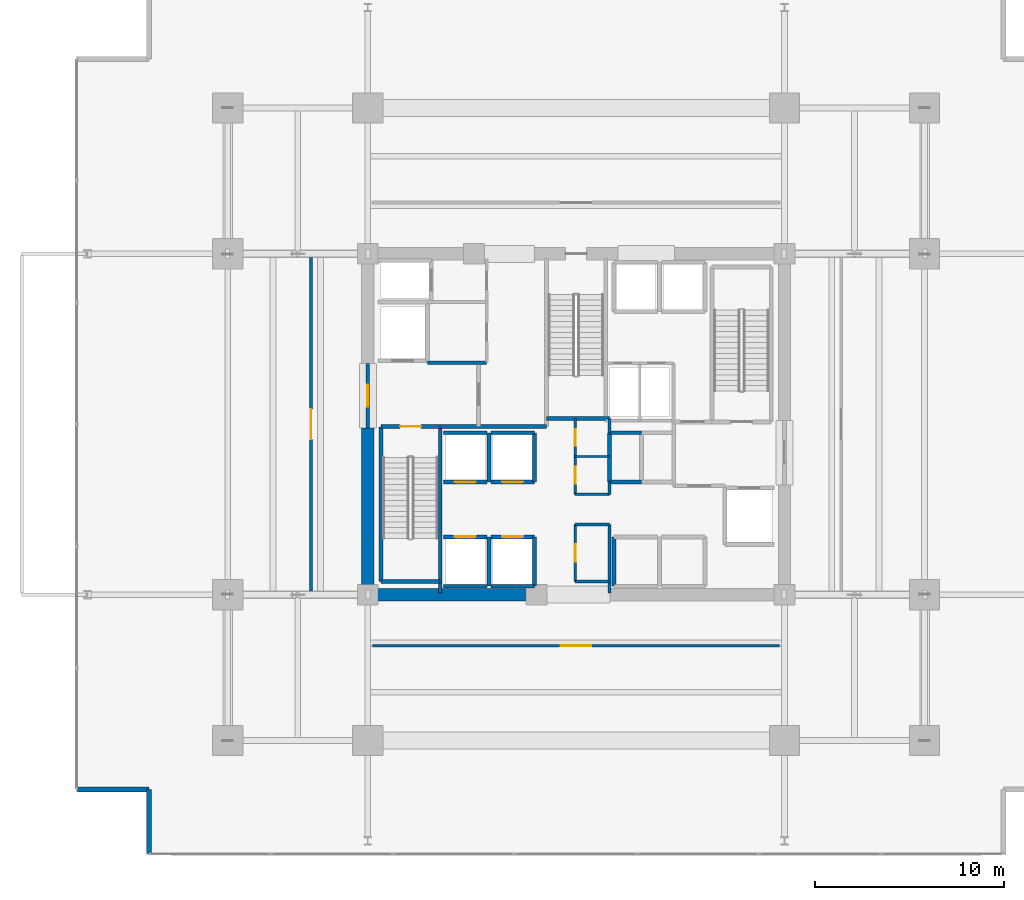
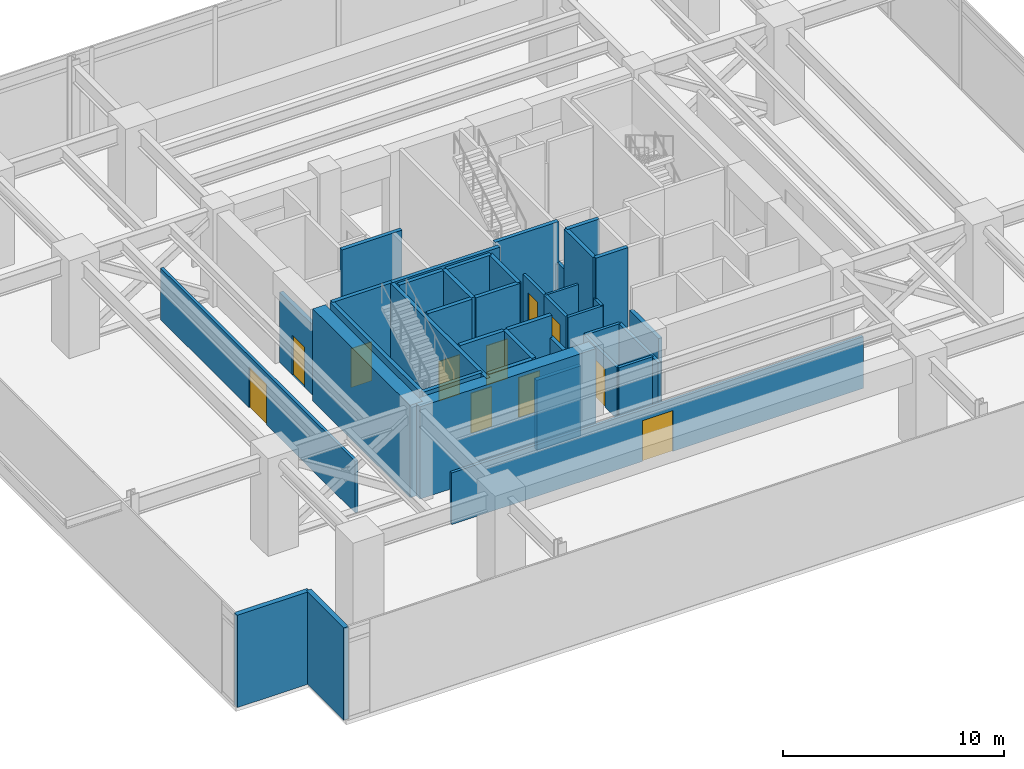
# One storey, part 23 of 26: 40 walls, 11 doors, 11 openings.
"""IFC4 building model written with IfcOpenShell, lengths in metres."""

from ifc_helpers import new_model, si_unit, direction, frame, frame_2d, origin, place, context, subcontext, project, spatial, rectangle, extrude, material, layer, layer_set, type_object, element, fill, save


model = new_model("IFC4")

# Units and contexts
model_context = context("Model", 3, precision=1e-05, world=origin(), true_north=direction((0.0, 1.0)))
body_context = subcontext(model_context, "Body", "Model", "MODEL_VIEW")
ifc_project = project(units=[si_unit("LENGTHUNIT", "METRE"), si_unit("AREAUNIT", "SQUARE_METRE"), si_unit("VOLUMEUNIT", "CUBIC_METRE"), si_unit("PLANEANGLEUNIT", "RADIAN"), si_unit("MASSUNIT", "GRAM", prefix="KILO")], contexts=[model_context])

# Site, building, storey
site_placement = place(None, origin())
site = spatial("IfcSite", under=ifc_project, at=site_placement, CompositionType="ELEMENT")
building_placement = place(site_placement, origin())
building = spatial("IfcBuilding", under=site, at=building_placement, Name="Kovane Verandah Tower", CompositionType="ELEMENT")
storey_placement = place(building_placement, frame((0.0, 0.0, 113.0)))
storey = spatial("IfcBuildingStorey", under=building, at=storey_placement, Name="L26", CompositionType="ELEMENT", Elevation=113.0)

# Walls
ifc_material_1 = material(Name="Fire-Rated Gypsum Stud Partition", Category="gypsum")
ifc_layer_1 = layer(ifc_material_1, 0.14990234375)
ifc_layer_set_1 = layer_set([ifc_layer_1], Name="Fire-Rated Gypsum Stud Partition")
wall_type_1 = type_object("IfcWallType", Name="WL-COR-150", PredefinedType="PARTITIONING", material=ifc_layer_set_1)
for number, where, z_axis, x_axis, name in (
    (1, (39.949951171875, 19.199951171875, 0.0), (0.0, 0.0, 1.0), (1.0, 0.0, 0.0), "L26 Central Core Strip South Wall"),
    (2, (39.949951171875, 22.199951171875, 0.0), (0.0, 0.0, 1.0), (1.0, 0.0, 0.0), "L26 Core Cross-Passage South Wall"),
    (3, (39.949951171875, 23.800048828125, 0.0), (0.0, 0.0, 1.0), (1.0, 0.0, 0.0), "L26 Core Cross-Passage North Wall"),
):
    element("IfcWall", number, at=place(storey_placement, frame(where, z_axis=z_axis, x_axis=x_axis)), inside=storey, type_object=wall_type_1, Name=name, PredefinedType="PARTITIONING", context=body_context, shape_type="SweptSolid", body=[
        extrude(rectangle(XDim=1.81005859375, YDim=0.14990234375, at=frame_2d((0.905029296875, 0.0))), origin(), (0.0, 0.0, 1.0), 2.85009765625),
    ])
wall_1_placement = place(storey_placement, frame((41.760009765625, 18.60009765625, 0.0), z_axis=(0.0, 0.0, 1.0), x_axis=(0.0, 1.0, 0.0)))
element("IfcWall", 4, at=wall_1_placement, inside=storey, type_object=wall_type_1, Name="L26 Central Core Strip Lower East Wall", PredefinedType="PARTITIONING", context=body_context, shape_type="SweptSolid", body=[
    extrude(rectangle(XDim=3.599853515625, YDim=0.14990234375, at=frame_2d((1.7998046875, 0.0))), origin(), (0.0, 0.0, 1.0), 2.85009765625),
])
wall_2_placement = place(storey_placement, frame((41.760009765625, 23.800048828125, 0.0), z_axis=(0.0, 0.0, 1.0), x_axis=(0.0, 1.0, 0.0)))
element("IfcWall", 5, at=wall_2_placement, inside=storey, type_object=wall_type_1, Name="L26 Central Core Strip Middle East Wall", PredefinedType="PARTITIONING", context=body_context, shape_type="SweptSolid", body=[
    extrude(rectangle(XDim=0.64990234375, YDim=0.14990234375, at=frame_2d((0.324951171875, 0.0))), origin(), (0.0, 0.0, 1.0), 2.85009765625),
])
wall_3_placement = place(storey_placement, frame((41.760009765625, 27.050048828125, 0.0), z_axis=(0.0, 0.0, 1.0), x_axis=(0.0, 1.0, 0.0)))
element("IfcWall", 6, at=wall_3_placement, inside=storey, type_object=wall_type_1, Name="L26 Central Core Strip Upper East Wall", PredefinedType="PARTITIONING", context=body_context, shape_type="SweptSolid", body=[
    extrude(rectangle(XDim=0.75, YDim=0.14990234375, at=frame_2d((0.375, 0.0))), origin(), (0.0, 0.0, 1.0), 2.85009765625),
])

# Wall, opening, door
wall_4_placement = place(storey_placement, frame((39.949951171875, 19.199951171875, 0.0), z_axis=(0.0, 0.0, 1.0), x_axis=(0.0, 1.0, 0.0)))
wall_4 = element("IfcWall", 7, at=wall_4_placement, inside=storey, type_object=wall_type_1, Name="L26 Male Toilet Partition", PredefinedType="PARTITIONING", context=body_context, shape_type="SweptSolid", body=[
    extrude(rectangle(XDim=3.0, YDim=0.14990234375, at=frame_2d((1.5, 0.0))), origin(), (0.0, 0.0, 1.0), 2.85009765625),
])
opening_1_placement = place(wall_4_placement, frame((1.050048828125, 0.0, 0.0)))
opening_1 = element("IfcOpeningElement", 8, at=opening_1_placement, cuts=wall_4, Name="Opening DR-L26-019", PredefinedType="OPENING", context=body_context, shape_type="SweptSolid", body=[
    extrude(rectangle(XDim=0.89990234375, YDim=2.10009765625, at=frame_2d((0.449951171875, 1.050048828125))), frame((0.0, 0.074951171875, 0.0), z_axis=(0.0, -1.0, 0.0), x_axis=(1.0, 0.0, 0.0)), (0.0, 0.0, 1.0), 0.14990234375),
])
ifc_material_2 = material(Name="Moisture-Resistant Laminate Washroom Door", Category="wood")
door_type_1 = type_object("IfcDoorType", Name="DR-WC-900", OperationType="SINGLE_SWING_LEFT", PredefinedType="DOOR", material=ifc_material_2)
door_1_placement = place(opening_1_placement, origin())
door_1 = element("IfcDoor", 9, at=door_1_placement, inside=storey, type_object=door_type_1, Name="L26 Male Toilet Door", OperationType="SINGLE_SWING_RIGHT", OverallHeight=2.10009765625, OverallWidth=0.89990234375, PredefinedType="DOOR", context=body_context, shape_type="SweptSolid", body=[
    extrude(rectangle(XDim=0.89990234375, YDim=2.10009765625, at=frame_2d((0.449951171875, 1.050048828125))), frame((0.0, 0.02490234375, 0.0), z_axis=(0.0, -1.0, 0.0), x_axis=(1.0, 0.0, 0.0)), (0.0, 0.0, 1.0), 0.050048828125),
])
fill(opening_1, door_1)

wall_5_placement = place(storey_placement, frame((39.949951171875, 23.800048828125, 0.0), z_axis=(0.0, 0.0, 1.0), x_axis=(0.0, 1.0, 0.0)))
wall_5 = element("IfcWall", 10, at=wall_5_placement, inside=storey, type_object=wall_type_1, Name="L26 Female Toilet Partition", PredefinedType="PARTITIONING", context=body_context, shape_type="SweptSolid", body=[
    extrude(rectangle(XDim=2.0, YDim=0.14990234375, at=frame_2d((1.0, 0.0))), origin(), (0.0, 0.0, 1.0), 2.85009765625),
])
opening_2_placement = place(wall_5_placement, frame((0.550048828125, 0.0, 0.0)))
opening_2 = element("IfcOpeningElement", 11, at=opening_2_placement, cuts=wall_5, Name="Opening DR-L26-018", PredefinedType="OPENING", context=body_context, shape_type="SweptSolid", body=[
    extrude(rectangle(XDim=0.89990234375, YDim=2.10009765625, at=frame_2d((0.449951171875, 1.050048828125))), frame((0.0, 0.074951171875, 0.0), z_axis=(0.0, -1.0, 0.0), x_axis=(1.0, 0.0, 0.0)), (0.0, 0.0, 1.0), 0.14990234375),
])
door_2_placement = place(opening_2_placement, origin())
door_2 = element("IfcDoor", 12, at=door_2_placement, inside=storey, type_object=door_type_1, Name="L26 Female Toilet Door", OperationType="SINGLE_SWING_LEFT", OverallHeight=2.10009765625, OverallWidth=0.89990234375, PredefinedType="DOOR", context=body_context, shape_type="SweptSolid", body=[
    extrude(rectangle(XDim=0.89990234375, YDim=2.10009765625, at=frame_2d((0.449951171875, 1.050048828125))), frame((0.0, 0.02490234375, 0.0), z_axis=(0.0, -1.0, 0.0), x_axis=(1.0, 0.0, 0.0)), (0.0, 0.0, 1.0), 0.050048828125),
])
fill(opening_2, door_2)

wall_6_placement = place(storey_placement, frame((39.949951171875, 25.800048828125, 0.0), z_axis=(0.0, 0.0, 1.0), x_axis=(0.0, 1.0, 0.0)))
wall_6 = element("IfcWall", 13, at=wall_6_placement, inside=storey, type_object=wall_type_1, Name="L26 Electrical Riser Room Partition", PredefinedType="PARTITIONING", context=body_context, shape_type="SweptSolid", body=[
    extrude(rectangle(XDim=2.0, YDim=0.14990234375, at=frame_2d((1.0, 0.0))), origin(), (0.0, 0.0, 1.0), 2.85009765625),
])
opening_3_placement = place(wall_6_placement, frame((0.56005859375, 0.0, 0.0)))
opening_3 = element("IfcOpeningElement", 14, at=opening_3_placement, cuts=wall_6, Name="Opening DR-L26-015", PredefinedType="OPENING", context=body_context, shape_type="SweptSolid", body=[
    extrude(rectangle(XDim=0.8798828125, YDim=2.10009765625, at=frame_2d((0.43994140625, 1.050048828125))), frame((0.0, 0.074951171875, 0.0), z_axis=(0.0, -1.0, 0.0), x_axis=(1.0, 0.0, 0.0)), (0.0, 0.0, 1.0), 0.14990234375),
])
ifc_material_3 = material(Name="Fire-Rated Steel Riser Access Door", Category="steel")
door_type_2 = type_object("IfcDoorType", Name="DR-RISER-880", OperationType="SINGLE_SWING_LEFT", PredefinedType="DOOR", material=ifc_material_3)
door_3_placement = place(opening_3_placement, origin())
door_3 = element("IfcDoor", 15, at=door_3_placement, inside=storey, type_object=door_type_2, Name="L26 Electrical Riser Room Door", OperationType="SINGLE_SWING_RIGHT", OverallHeight=2.10009765625, OverallWidth=0.8798828125, PredefinedType="DOOR", context=body_context, shape_type="SweptSolid", body=[
    extrude(rectangle(XDim=0.8798828125, YDim=2.10009765625, at=frame_2d((0.43994140625, 1.050048828125))), frame((0.0, 0.02490234375, 0.0), z_axis=(0.0, -1.0, 0.0), x_axis=(1.0, 0.0, 0.0)), (0.0, 0.0, 1.0), 0.050048828125),
])
fill(opening_3, door_3)

wall_7_placement = place(storey_placement, frame((29.25, 15.800048828125, 0.0), z_axis=(0.0, 0.0, 1.0), x_axis=(1.0, 0.0, 0.0)))
wall_7 = element("IfcWall", 16, at=wall_7_placement, inside=storey, type_object=wall_type_1, Name="L26 Chilled Water Plant Room South Corridor Partition", PredefinedType="PARTITIONING", context=body_context, shape_type="SweptSolid", body=[
    extrude(rectangle(XDim=21.5, YDim=0.14990234375, at=frame_2d((10.75, 0.0))), origin(), (0.0, 0.0, 1.0), 2.85009765625),
])
opening_4_placement = place(wall_7_placement, frame((9.949951171875, 0.0, 0.0)))
opening_4 = element("IfcOpeningElement", 17, at=opening_4_placement, cuts=wall_7, Name="Opening DR-L26-014", PredefinedType="OPENING", context=body_context, shape_type="SweptSolid", body=[
    extrude(rectangle(XDim=1.60009765625, YDim=2.25, at=frame_2d((0.800048828125, 1.125))), frame((0.0, 0.074951171875, 0.0), z_axis=(0.0, -1.0, 0.0), x_axis=(1.0, 0.0, 0.0)), (0.0, 0.0, 1.0), 0.14990234375),
])
ifc_material_4 = material(Name="Louvred Acoustic Steel Double Plant Door", Category="steel")
door_type_3 = type_object("IfcDoorType", Name="DR-PLANT-1600", OperationType="DOUBLE_DOOR_SINGLE_SWING", PredefinedType="DOOR", material=ifc_material_4)
door_4_placement = place(opening_4_placement, origin())
door_4 = element("IfcDoor", 18, at=door_4_placement, inside=storey, type_object=door_type_3, Name="L26 Chilled Water Plant Room South Entrance Door", OperationType="DOUBLE_DOOR_SINGLE_SWING", OverallHeight=2.25, OverallWidth=1.60009765625, PredefinedType="DOOR", context=body_context, shape_type="SweptSolid", body=[
    extrude(rectangle(XDim=1.60009765625, YDim=2.25, at=frame_2d((0.800048828125, 1.125))), frame((0.0, 0.02490234375, 0.0), z_axis=(0.0, -1.0, 0.0), x_axis=(1.0, 0.0, 0.0)), (0.0, 0.0, 1.0), 0.050048828125),
])
fill(opening_4, door_4)

wall_8_placement = place(storey_placement, frame((26.0, 18.699951171875, 0.0), z_axis=(0.0, 0.0, 1.0), x_axis=(0.0, 1.0, 0.0)))
wall_8 = element("IfcWall", 19, at=wall_8_placement, inside=storey, type_object=wall_type_1, Name="L26 Outrigger Mechanical Plant Room West Corridor Partition", PredefinedType="PARTITIONING", context=body_context, shape_type="SweptSolid", body=[
    extrude(rectangle(XDim=17.60009765625, YDim=0.14990234375, at=frame_2d((8.800048828125, 0.0))), origin(), (0.0, 0.0, 1.0), 2.85009765625),
])
opening_5_placement = place(wall_8_placement, frame((8.0, 0.0, 0.0)))
opening_5 = element("IfcOpeningElement", 20, at=opening_5_placement, cuts=wall_8, Name="Opening DR-L26-016", PredefinedType="OPENING", context=body_context, shape_type="SweptSolid", body=[
    extrude(rectangle(XDim=1.60009765625, YDim=2.25, at=frame_2d((0.800048828125, 1.125))), frame((0.0, 0.074951171875, 0.0), z_axis=(0.0, -1.0, 0.0), x_axis=(1.0, 0.0, 0.0)), (0.0, 0.0, 1.0), 0.14990234375),
])
door_5_placement = place(opening_5_placement, origin())
door_5 = element("IfcDoor", 21, at=door_5_placement, inside=storey, type_object=door_type_3, Name="L26 Outrigger Mechanical Plant Room West Entrance Door", OperationType="DOUBLE_DOOR_SINGLE_SWING", OverallHeight=2.25, OverallWidth=1.60009765625, PredefinedType="DOOR", context=body_context, shape_type="SweptSolid", body=[
    extrude(rectangle(XDim=1.60009765625, YDim=2.25, at=frame_2d((0.800048828125, 1.125))), frame((0.0, 0.02490234375, 0.0), z_axis=(0.0, -1.0, 0.0), x_axis=(1.0, 0.0, 0.0)), (0.0, 0.0, 1.0), 0.050048828125),
])
fill(opening_5, door_5)

# Walls
ifc_material_5 = material(Name="Concrete C80/95", Category="concrete")
ifc_layer_2 = layer(ifc_material_5, 0.64990234375)
ifc_layer_set_2 = layer_set([ifc_layer_2], Name="Concrete C80/95")
wall_type_2 = type_object("IfcWallType", Name="WL-CORE-650", PredefinedType="SHEAR", material=ifc_layer_set_2)
wall_9_placement = place(storey_placement, frame((29.0, 18.5, 0.0), z_axis=(0.0, 0.0, 1.0), x_axis=(1.0, 0.0, 0.0)))
element("IfcWall", 22, at=wall_9_placement, inside=storey, type_object=wall_type_2, Name="L26 Core Shear Wall CS-1", PredefinedType="SHEAR", context=body_context, shape_type="SweptSolid", body=[
    extrude(rectangle(XDim=9.199951171875, YDim=0.64990234375, at=frame_2d((4.60009765625, 0.0))), origin(), (0.0, 0.0, 1.0), 5.10009765625),
])
wall_10_placement = place(storey_placement, frame((29.0, 18.5, 0.0), z_axis=(0.0, 0.0, 1.0), x_axis=(0.0, 1.0, 0.0)))
element("IfcWall", 23, at=wall_10_placement, inside=storey, type_object=wall_type_2, Name="L26 Core Shear Wall CW-1", PredefinedType="SHEAR", context=body_context, shape_type="SweptSolid", body=[
    extrude(rectangle(XDim=8.800048828125, YDim=0.64990234375, at=frame_2d((4.39990234375, 0.0))), origin(), (0.0, 0.0, 1.0), 5.10009765625),
])

# Wall, opening, door
ifc_material_6 = material(Name="Concrete C45/55 Fire Wall", Category="concrete")
ifc_layer_3 = layer(ifc_material_6, 0.199951171875)
ifc_layer_set_3 = layer_set([ifc_layer_3], Name="Concrete C45/55 Fire Wall")
wall_type_3 = type_object("IfcWallType", Name="WL-FFL-200", PredefinedType="PARTITIONING", material=ifc_layer_set_3)
wall_11_placement = place(storey_placement, frame((29.0, 27.300048828125, 0.0), z_axis=(0.0, 0.0, 1.0), x_axis=(0.0, 1.0, 0.0)))
wall_11 = element("IfcWall", 24, at=wall_11_placement, inside=storey, type_object=wall_type_3, Name="W-L26-FFLW-OUT", PredefinedType="PARTITIONING", context=body_context, shape_type="SweptSolid", body=[
    extrude(rectangle(XDim=3.39990234375, YDim=0.199951171875, at=frame_2d((1.699951171875, 0.0))), origin(), (0.0, 0.0, 1.0), 3.8798828125),
])
opening_6_placement = place(wall_11_placement, frame((1.125, 0.0, 0.0)))
opening_6 = element("IfcOpeningElement", 25, at=opening_6_placement, cuts=wall_11, Name="Opening DR-L26-005", PredefinedType="OPENING", context=body_context, shape_type="SweptSolid", body=[
    extrude(rectangle(XDim=1.14990234375, YDim=2.199951171875, at=frame_2d((0.574951171875, 1.10009765625))), frame((0.0, 0.10009765625, 0.0), z_axis=(0.0, -1.0, 0.0), x_axis=(1.0, 0.0, 0.0)), (0.0, 0.0, 1.0), 0.199951171875),
])
ifc_material_7 = material(Name="Smoke-Sealed Firefighting Lobby Door", Category="steel")
door_type_4 = type_object("IfcDoorType", Name="DR-FFL-1150", OperationType="SINGLE_SWING_LEFT", PredefinedType="DOOR", material=ifc_material_7)
door_6_placement = place(opening_6_placement, origin())
door_6 = element("IfcDoor", 26, at=door_6_placement, inside=storey, type_object=door_type_4, Name="L26 West Firefighting Lobby Corridor Door", OperationType="SINGLE_SWING_RIGHT", OverallHeight=2.199951171875, OverallWidth=1.14990234375, PredefinedType="DOOR", context=body_context, shape_type="SweptSolid", body=[
    extrude(rectangle(XDim=1.14990234375, YDim=2.199951171875, at=frame_2d((0.574951171875, 1.10009765625))), frame((0.0, 0.02490234375, 0.0), z_axis=(0.0, -1.0, 0.0), x_axis=(1.0, 0.0, 0.0)), (0.0, 0.0, 1.0), 0.050048828125),
])
fill(opening_6, door_6)

# Walls
wall_12_placement = place(storey_placement, frame((32.820068359375, 27.3798828125, 0.0), z_axis=(0.0, 0.0, 1.0), x_axis=(1.0, 0.0, 0.0)))
element("IfcWall", 27, at=wall_12_placement, inside=storey, type_object=wall_type_3, Name="L26 West Firefighting Lobby South Fire Wall", PredefinedType="PARTITIONING", context=body_context, shape_type="SweptSolid", body=[
    extrude(rectangle(XDim=5.619873046875, YDim=0.199951171875, at=frame_2d((2.81005859375, 0.0))), origin(), (0.0, 0.0, 1.0), 5.10009765625),
])
wall_13_placement = place(storey_placement, frame((32.14990234375, 30.75, 0.0), z_axis=(0.0, 0.0, 1.0), x_axis=(1.0, 0.0, 0.0)))
element("IfcWall", 28, at=wall_13_placement, inside=storey, type_object=wall_type_3, Name="L26 West Firefighting Lobby North Fire Wall", PredefinedType="PARTITIONING", context=body_context, shape_type="SweptSolid", body=[
    extrude(rectangle(XDim=3.130126953125, YDim=0.199951171875, at=frame_2d((1.56494140625, 0.0))), origin(), (0.0, 0.0, 1.0), 5.10009765625),
])
ifc_material_8 = material(Name="Concrete C45/55 Lift Shaft Wall", Category="concrete")
ifc_layer_4 = layer(ifc_material_8, 0.199951171875)
ifc_layer_set_4 = layer_set([ifc_layer_4], Name="Concrete C45/55 Lift Shaft Wall")
wall_type_4 = type_object("IfcWallType", Name="WL-LIFT-200", PredefinedType="SOLIDWALL", material=ifc_layer_set_4)
wall_14_placement = place(storey_placement, frame((33.0, 18.949951171875, 0.0), z_axis=(0.0, 0.0, 1.0), x_axis=(1.0, 0.0, 0.0)))
element("IfcWall", 29, at=wall_14_placement, inside=storey, type_object=wall_type_4, Name="L26 Lift PL-L1 S Shaft Wall", PredefinedType="SOLIDWALL", context=body_context, shape_type="SweptSolid", body=[
    extrude(rectangle(XDim=2.300048828125, YDim=0.199951171875, at=frame_2d((1.14990234375, 0.0))), origin(), (0.0, 0.0, 1.0), 5.10009765625),
])

# Wall, opening, door
wall_15_placement = place(storey_placement, frame((35.300048828125, 21.550048828125, 0.0), z_axis=(0.0, 0.0, 1.0), x_axis=(-1.0, 0.0, 0.0)))
wall_15 = element("IfcWall", 30, at=wall_15_placement, inside=storey, type_object=wall_type_4, Name="L26 Lift PL-L1 N Shaft Wall", PredefinedType="SOLIDWALL", context=body_context, shape_type="SweptSolid", body=[
    extrude(rectangle(XDim=2.300048828125, YDim=0.199951171875, at=frame_2d((1.14990234375, 0.0))), origin(), (0.0, 0.0, 1.0), 5.10009765625),
])
opening_7_placement = place(wall_15_placement, frame((0.60009765625, 0.0, 0.0)))
opening_7 = element("IfcOpeningElement", 31, at=opening_7_placement, cuts=wall_15, Name="Opening LD-L26-004", PredefinedType="OPENING", context=body_context, shape_type="SweptSolid", body=[
    extrude(rectangle(XDim=1.10009765625, YDim=2.199951171875, at=frame_2d((0.550048828125, 1.10009765625))), frame((0.0, 0.10009765625, 0.0), z_axis=(0.0, -1.0, 0.0), x_axis=(1.0, 0.0, 0.0)), (0.0, 0.0, 1.0), 0.199951171875),
])
ifc_material_9 = material(Name="Brushed Stainless Steel Sliding Lift Landing Door", Category="steel")
door_type_5 = type_object("IfcDoorType", Name="DR-LIFT-1100", OperationType="SLIDING_TO_RIGHT", PredefinedType="DOOR", material=ifc_material_9)
door_7_placement = place(opening_7_placement, origin())
door_7 = element("IfcDoor", 32, at=door_7_placement, inside=storey, type_object=door_type_5, Name="L26 Lift PL-L1 Sliding Landing Door", OperationType="SLIDING_TO_RIGHT", OverallHeight=2.199951171875, OverallWidth=1.10009765625, PredefinedType="DOOR", context=body_context, shape_type="SweptSolid", body=[
    extrude(rectangle(XDim=1.10009765625, YDim=2.199951171875, at=frame_2d((0.550048828125, 1.10009765625))), frame((0.0, 0.02490234375, 0.0), z_axis=(0.0, -1.0, 0.0), x_axis=(1.0, 0.0, 0.0)), (0.0, 0.0, 1.0), 0.050048828125),
])
fill(opening_7, door_7)

# Walls
wall_16_placement = place(storey_placement, frame((35.39990234375, 18.949951171875, 0.0), z_axis=(0.0, 0.0, 1.0), x_axis=(0.0, 1.0, 0.0)))
element("IfcWall", 33, at=wall_16_placement, inside=storey, type_object=wall_type_4, Name="L26 Lift PL-L1 and PL-L2 Shared Shaft Wall", PredefinedType="SOLIDWALL", context=body_context, shape_type="SweptSolid", body=[
    extrude(rectangle(XDim=2.60009765625, YDim=0.199951171875, at=frame_2d((1.300048828125, 0.0))), origin(), (0.0, 0.0, 1.0), 5.10009765625),
])
wall_17_placement = place(storey_placement, frame((35.5, 18.949951171875, 0.0), z_axis=(0.0, 0.0, 1.0), x_axis=(1.0, 0.0, 0.0)))
element("IfcWall", 34, at=wall_17_placement, inside=storey, type_object=wall_type_4, Name="L26 Lift PL-L2 S Shaft Wall", PredefinedType="SOLIDWALL", context=body_context, shape_type="SweptSolid", body=[
    extrude(rectangle(XDim=2.300048828125, YDim=0.199951171875, at=frame_2d((1.14990234375, 0.0))), origin(), (0.0, 0.0, 1.0), 3.8798828125),
])

# Wall, opening, door
wall_18_placement = place(storey_placement, frame((37.800048828125, 21.550048828125, 0.0), z_axis=(0.0, 0.0, 1.0), x_axis=(-1.0, 0.0, 0.0)))
wall_18 = element("IfcWall", 35, at=wall_18_placement, inside=storey, type_object=wall_type_4, Name="L26 Lift PL-L2 N Shaft Wall", PredefinedType="SOLIDWALL", context=body_context, shape_type="SweptSolid", body=[
    extrude(rectangle(XDim=2.300048828125, YDim=0.199951171875, at=frame_2d((1.14990234375, 0.0))), origin(), (0.0, 0.0, 1.0), 5.10009765625),
])
opening_8_placement = place(wall_18_placement, frame((0.60009765625, 0.0, 0.0)))
opening_8 = element("IfcOpeningElement", 36, at=opening_8_placement, cuts=wall_18, Name="Opening LD-L26-005", PredefinedType="OPENING", context=body_context, shape_type="SweptSolid", body=[
    extrude(rectangle(XDim=1.10009765625, YDim=2.199951171875, at=frame_2d((0.550048828125, 1.10009765625))), frame((0.0, 0.10009765625, 0.0), z_axis=(0.0, -1.0, 0.0), x_axis=(1.0, 0.0, 0.0)), (0.0, 0.0, 1.0), 0.199951171875),
])
door_8_placement = place(opening_8_placement, origin())
door_8 = element("IfcDoor", 37, at=door_8_placement, inside=storey, type_object=door_type_5, Name="L26 Lift PL-L2 Sliding Landing Door", OperationType="SLIDING_TO_RIGHT", OverallHeight=2.199951171875, OverallWidth=1.10009765625, PredefinedType="DOOR", context=body_context, shape_type="SweptSolid", body=[
    extrude(rectangle(XDim=1.10009765625, YDim=2.199951171875, at=frame_2d((0.550048828125, 1.10009765625))), frame((0.0, 0.02490234375, 0.0), z_axis=(0.0, -1.0, 0.0), x_axis=(1.0, 0.0, 0.0)), (0.0, 0.0, 1.0), 0.050048828125),
])
fill(opening_8, door_8)

# Wall
wall_19_placement = place(storey_placement, frame((37.800048828125, 18.949951171875, 0.0), z_axis=(0.0, 0.0, 1.0), x_axis=(0.0, 1.0, 0.0)))
element("IfcWall", 38, at=wall_19_placement, inside=storey, type_object=wall_type_4, Name="L26 Lift PL-L2 E Shaft Wall", PredefinedType="SOLIDWALL", context=body_context, shape_type="SweptSolid", body=[
    extrude(rectangle(XDim=2.60009765625, YDim=0.199951171875, at=frame_2d((1.300048828125, 0.0))), origin(), (0.0, 0.0, 1.0), 3.8798828125),
])

# Wall, opening, door
wall_20_placement = place(storey_placement, frame((33.0, 24.449951171875, 0.0), z_axis=(0.0, 0.0, 1.0), x_axis=(1.0, 0.0, 0.0)))
wall_20 = element("IfcWall", 39, at=wall_20_placement, inside=storey, type_object=wall_type_4, Name="L26 Lift PL-L3 S Shaft Wall", PredefinedType="SOLIDWALL", context=body_context, shape_type="SweptSolid", body=[
    extrude(rectangle(XDim=2.300048828125, YDim=0.199951171875, at=frame_2d((1.14990234375, 0.0))), origin(), (0.0, 0.0, 1.0), 5.10009765625),
])
opening_9_placement = place(wall_20_placement, frame((0.60009765625, 0.0, 0.0)))
opening_9 = element("IfcOpeningElement", 40, at=opening_9_placement, cuts=wall_20, Name="Opening LD-L26-006", PredefinedType="OPENING", context=body_context, shape_type="SweptSolid", body=[
    extrude(rectangle(XDim=1.10009765625, YDim=2.199951171875, at=frame_2d((0.550048828125, 1.10009765625))), frame((0.0, 0.10009765625, 0.0), z_axis=(0.0, -1.0, 0.0), x_axis=(1.0, 0.0, 0.0)), (0.0, 0.0, 1.0), 0.199951171875),
])
door_9_placement = place(opening_9_placement, origin())
door_9 = element("IfcDoor", 41, at=door_9_placement, inside=storey, type_object=door_type_5, Name="L26 Lift PL-L3 Sliding Landing Door", OperationType="SLIDING_TO_RIGHT", OverallHeight=2.199951171875, OverallWidth=1.10009765625, PredefinedType="DOOR", context=body_context, shape_type="SweptSolid", body=[
    extrude(rectangle(XDim=1.10009765625, YDim=2.199951171875, at=frame_2d((0.550048828125, 1.10009765625))), frame((0.0, 0.02490234375, 0.0), z_axis=(0.0, -1.0, 0.0), x_axis=(1.0, 0.0, 0.0)), (0.0, 0.0, 1.0), 0.050048828125),
])
fill(opening_9, door_9)

# Walls
wall_21_placement = place(storey_placement, frame((35.300048828125, 27.050048828125, 0.0), z_axis=(0.0, 0.0, 1.0), x_axis=(-1.0, 0.0, 0.0)))
element("IfcWall", 42, at=wall_21_placement, inside=storey, type_object=wall_type_4, Name="L26 Lift PL-L3 N Shaft Wall", PredefinedType="SOLIDWALL", context=body_context, shape_type="SweptSolid", body=[
    extrude(rectangle(XDim=2.300048828125, YDim=0.199951171875, at=frame_2d((1.14990234375, 0.0))), origin(), (0.0, 0.0, 1.0), 5.10009765625),
])
wall_22_placement = place(storey_placement, frame((35.39990234375, 24.449951171875, 0.0), z_axis=(0.0, 0.0, 1.0), x_axis=(0.0, 1.0, 0.0)))
element("IfcWall", 43, at=wall_22_placement, inside=storey, type_object=wall_type_4, Name="L26 Lift PL-L3 and PL-L4 Shared Shaft Wall", PredefinedType="SOLIDWALL", context=body_context, shape_type="SweptSolid", body=[
    extrude(rectangle(XDim=2.60009765625, YDim=0.199951171875, at=frame_2d((1.300048828125, 0.0))), origin(), (0.0, 0.0, 1.0), 5.10009765625),
])

# Wall, opening, door
wall_23_placement = place(storey_placement, frame((35.5, 24.449951171875, 0.0), z_axis=(0.0, 0.0, 1.0), x_axis=(1.0, 0.0, 0.0)))
wall_23 = element("IfcWall", 44, at=wall_23_placement, inside=storey, type_object=wall_type_4, Name="L26 Lift PL-L4 S Shaft Wall", PredefinedType="SOLIDWALL", context=body_context, shape_type="SweptSolid", body=[
    extrude(rectangle(XDim=2.300048828125, YDim=0.199951171875, at=frame_2d((1.14990234375, 0.0))), origin(), (0.0, 0.0, 1.0), 5.10009765625),
])
opening_10_placement = place(wall_23_placement, frame((0.60009765625, 0.0, 0.0)))
opening_10 = element("IfcOpeningElement", 45, at=opening_10_placement, cuts=wall_23, Name="Opening LD-L26-007", PredefinedType="OPENING", context=body_context, shape_type="SweptSolid", body=[
    extrude(rectangle(XDim=1.10009765625, YDim=2.199951171875, at=frame_2d((0.550048828125, 1.10009765625))), frame((0.0, 0.10009765625, 0.0), z_axis=(0.0, -1.0, 0.0), x_axis=(1.0, 0.0, 0.0)), (0.0, 0.0, 1.0), 0.199951171875),
])
door_10_placement = place(opening_10_placement, origin())
door_10 = element("IfcDoor", 46, at=door_10_placement, inside=storey, type_object=door_type_5, Name="L26 Lift PL-L4 Sliding Landing Door", OperationType="SLIDING_TO_RIGHT", OverallHeight=2.199951171875, OverallWidth=1.10009765625, PredefinedType="DOOR", context=body_context, shape_type="SweptSolid", body=[
    extrude(rectangle(XDim=1.10009765625, YDim=2.199951171875, at=frame_2d((0.550048828125, 1.10009765625))), frame((0.0, 0.02490234375, 0.0), z_axis=(0.0, -1.0, 0.0), x_axis=(1.0, 0.0, 0.0)), (0.0, 0.0, 1.0), 0.050048828125),
])
fill(opening_10, door_10)

# Walls
wall_24_placement = place(storey_placement, frame((37.800048828125, 27.050048828125, 0.0), z_axis=(0.0, 0.0, 1.0), x_axis=(-1.0, 0.0, 0.0)))
element("IfcWall", 47, at=wall_24_placement, inside=storey, type_object=wall_type_4, Name="L26 Lift PL-L4 N Shaft Wall", PredefinedType="SOLIDWALL", context=body_context, shape_type="SweptSolid", body=[
    extrude(rectangle(XDim=2.300048828125, YDim=0.199951171875, at=frame_2d((1.14990234375, 0.0))), origin(), (0.0, 0.0, 1.0), 5.10009765625),
])
wall_25_placement = place(storey_placement, frame((37.800048828125, 24.449951171875, 0.0), z_axis=(0.0, 0.0, 1.0), x_axis=(0.0, 1.0, 0.0)))
element("IfcWall", 48, at=wall_25_placement, inside=storey, type_object=wall_type_4, Name="L26 Lift PL-L4 E Shaft Wall", PredefinedType="SOLIDWALL", context=body_context, shape_type="SweptSolid", body=[
    extrude(rectangle(XDim=2.60009765625, YDim=0.199951171875, at=frame_2d((1.300048828125, 0.0))), origin(), (0.0, 0.0, 1.0), 5.10009765625),
])
wall_26_placement = place(storey_placement, frame((42.0, 21.550048828125, 0.0), z_axis=(0.0, 0.0, 1.0), x_axis=(0.0, -1.0, 0.0)))
element("IfcWall", 49, at=wall_26_placement, inside=storey, type_object=wall_type_4, Name="L26 Lift PL-M1 W Shaft Wall", PredefinedType="SOLIDWALL", context=body_context, shape_type="SweptSolid", body=[
    extrude(rectangle(XDim=2.60009765625, YDim=0.199951171875, at=frame_2d((1.300048828125, 0.0))), origin(), (0.0, 0.0, 1.0), 3.8798828125),
])
for number, where, z_axis, x_axis, name in (
    (50, (41.760009765625, 24.449951171875, 0.0), (0.0, 0.0, 1.0), (1.0, 0.0, 0.0), "L26 Lift PL-M3 S Shaft Wall"),
    (51, (43.43994140625, 27.050048828125, 0.0), (0.0, 0.0, 1.0), (-1.0, 0.0, 0.0), "L26 Lift PL-M3 N Shaft Wall"),
):
    element("IfcWall", number, at=place(storey_placement, frame(where, z_axis=z_axis, x_axis=x_axis)), inside=storey, type_object=wall_type_4, Name=name, PredefinedType="SOLIDWALL", context=body_context, shape_type="SweptSolid", body=[
        extrude(rectangle(XDim=1.679931640625, YDim=0.199951171875, at=frame_2d((0.83984375, 0.0))), origin(), (0.0, 0.0, 1.0), 5.10009765625),
    ])
wall_27_placement = place(storey_placement, frame((41.760009765625, 27.050048828125, 0.0), z_axis=(0.0, 0.0, 1.0), x_axis=(0.0, -1.0, 0.0)))
element("IfcWall", 52, at=wall_27_placement, inside=storey, type_object=wall_type_4, Name="L26 Lift PL-M3 W Shaft Wall", PredefinedType="SOLIDWALL", context=body_context, shape_type="SweptSolid", body=[
    extrude(rectangle(XDim=2.60009765625, YDim=0.199951171875, at=frame_2d((1.300048828125, 0.0))), origin(), (0.0, 0.0, 1.0), 5.10009765625),
])
ifc_material_10 = material(Name="Acoustic Fire-Rated Gypsum Partition", Category="gypsum")
ifc_layer_5 = layer(ifc_material_10, 0.1201171875)
ifc_layer_set_5 = layer_set([ifc_layer_5], Name="Acoustic Fire-Rated Gypsum Partition")
wall_type_5 = type_object("IfcWallType", Name="WL-PART-120", PredefinedType="PARTITIONING", material=ifc_layer_set_5)
wall_28_placement = place(storey_placement, frame((39.949951171875, 25.800048828125, 0.0), z_axis=(0.0, 0.0, 1.0), x_axis=(1.0, 0.0, 0.0)))
element("IfcWall", 53, at=wall_28_placement, inside=storey, type_object=wall_type_5, Name="L26 Central Core Strip Upper Dividing Partition", PredefinedType="PARTITIONING", context=body_context, shape_type="SweptSolid", body=[
    extrude(rectangle(XDim=1.81005859375, YDim=0.1201171875, at=frame_2d((0.905029296875, 0.0))), origin(), (0.0, 0.0, 1.0), 2.85009765625),
])
ifc_material_11 = material(Name="Concrete C45/55", Category="concrete")
ifc_layer_6 = layer(ifc_material_11, 0.199951171875)
ifc_layer_set_6 = layer_set([ifc_layer_6], Name="Concrete C45/55")
wall_type_6 = type_object("IfcWallType", Name="WL-SHAFT-200", PredefinedType="SOLIDWALL", material=ifc_layer_set_6)
wall_29_placement = place(storey_placement, frame((29.699951171875, 19.199951171875, 0.0), z_axis=(0.0, 0.0, 1.0), x_axis=(0.0, 1.0, 0.0)))
element("IfcWall", 54, at=wall_29_placement, inside=storey, type_object=wall_type_6, Name="W-L26-ST01-W", PredefinedType="SOLIDWALL", context=body_context, shape_type="SweptSolid", body=[
    extrude(rectangle(XDim=8.150146484375, YDim=0.199951171875, at=frame_2d((4.0751953125, 0.0))), origin(), (0.0, 0.0, 1.0), 5.10009765625),
])
wall_30_placement = place(storey_placement, frame((29.699951171875, 19.199951171875, 0.0), z_axis=(0.0, 0.0, 1.0), x_axis=(1.0, 0.0, 0.0)))
element("IfcWall", 55, at=wall_30_placement, inside=storey, type_object=wall_type_6, Name="W-L26-ST01-S", PredefinedType="SOLIDWALL", context=body_context, shape_type="SweptSolid", body=[
    extrude(rectangle(XDim=3.1201171875, YDim=0.199951171875, at=frame_2d((1.56005859375, 0.0))), origin(), (0.0, 0.0, 1.0), 5.10009765625),
])
wall_31_placement = place(storey_placement, frame((32.820068359375, 18.60009765625, 0.0), z_axis=(0.0, 0.0, 1.0), x_axis=(0.0, 1.0, 0.0)))
element("IfcWall", 56, at=wall_31_placement, inside=storey, type_object=wall_type_6, Name="W-L26-ST01-E", PredefinedType="SOLIDWALL", context=body_context, shape_type="SweptSolid", body=[
    extrude(rectangle(XDim=8.77978515625, YDim=0.199951171875, at=frame_2d((4.389892578125, 0.0))), origin(), (0.0, 0.0, 1.0), 5.10009765625),
])

# Wall, opening, door
wall_32_placement = place(storey_placement, frame((29.699951171875, 27.3798828125, 0.0), z_axis=(0.0, 0.0, 1.0), x_axis=(1.0, 0.0, 0.0)))
wall_32 = element("IfcWall", 57, at=wall_32_placement, inside=storey, type_object=wall_type_6, Name="W-L26-ST01-N", PredefinedType="SOLIDWALL", context=body_context, shape_type="SweptSolid", body=[
    extrude(rectangle(XDim=3.1201171875, YDim=0.199951171875, at=frame_2d((1.56005859375, 0.0))), origin(), (0.0, 0.0, 1.0), 5.10009765625),
])
opening_11_placement = place(wall_32_placement, frame((1.010009765625, 0.0, 0.0)))
opening_11 = element("IfcOpeningElement", 58, at=opening_11_placement, cuts=wall_32, Name="Opening DR-L26-007", PredefinedType="OPENING", context=body_context, shape_type="SweptSolid", body=[
    extrude(rectangle(XDim=1.10009765625, YDim=2.14990234375, at=frame_2d((0.550048828125, 1.074951171875))), frame((0.0, 0.10009765625, 0.0), z_axis=(0.0, -1.0, 0.0), x_axis=(1.0, 0.0, 0.0)), (0.0, 0.0, 1.0), 0.199951171875),
])
ifc_material_12 = material(Name="Fire-Rated Steel Exit Door", Category="steel")
door_type_6 = type_object("IfcDoorType", Name="DR-STAIR-1100", OperationType="SINGLE_SWING_LEFT", PredefinedType="DOOR", material=ifc_material_12)
door_11_placement = place(opening_11_placement, origin())
door_11 = element("IfcDoor", 59, at=door_11_placement, inside=storey, type_object=door_type_6, Name="L26 ST-01 Fire Exit Stair Door", OperationType="SINGLE_SWING_LEFT", OverallHeight=2.14990234375, OverallWidth=1.10009765625, PredefinedType="DOOR", context=body_context, shape_type="SweptSolid", body=[
    extrude(rectangle(XDim=1.10009765625, YDim=2.14990234375, at=frame_2d((0.550048828125, 1.074951171875))), frame((0.0, 0.02490234375, 0.0), z_axis=(0.0, -1.0, 0.0), x_axis=(1.0, 0.0, 0.0)), (0.0, 0.0, 1.0), 0.050048828125),
])
fill(opening_11, door_11)

# Walls
wall_33_placement = place(storey_placement, frame((38.43994140625, 27.800048828125, 0.0), z_axis=(0.0, 0.0, 1.0), x_axis=(1.0, 0.0, 0.0)))
element("IfcWall", 60, at=wall_33_placement, inside=storey, type_object=wall_type_6, Name="W-L26-ST03-S", PredefinedType="SOLIDWALL", context=body_context, shape_type="SweptSolid", body=[
    extrude(rectangle(XDim=3.320068359375, YDim=0.199951171875, at=frame_2d((1.66015625, 0.0))), origin(), (0.0, 0.0, 1.0), 5.10009765625),
])
ifc_material_13 = material(Name="Concrete C45/55 Insulated Spandrel Wall", Category="concrete")
ifc_layer_7 = layer(ifc_material_13, 0.260009765625)
ifc_layer_set_7 = layer_set([ifc_layer_7], Name="Concrete C45/55 Insulated Spandrel Wall")
wall_type_7 = type_object("IfcWallType", Name="WL-SPANDREL-260", PredefinedType="PARAPET", material=ifc_layer_set_7)
wall_34_placement = place(storey_placement, frame((13.635986328125, 8.205078125, 0.0), z_axis=(0.0, 0.0, 1.0), x_axis=(1.0, 0.0, 0.0)))
element("IfcWall", 61, at=wall_34_placement, inside=storey, type_object=wall_type_7, Name="L26 SW Notch Cheek Wall 1", PredefinedType="PARAPET", context=body_context, shape_type="SweptSolid", body=[
    extrude(rectangle(XDim=3.7998046875, YDim=0.260009765625, at=frame_2d((1.89990234375, 0.0))), origin(), (0.0, 0.0, 1.0), 5.10009765625),
])
wall_35_placement = place(storey_placement, frame((17.435791015625, 8.205078125, 0.0), z_axis=(0.0, 0.0, 1.0), x_axis=(0.0, -1.0, 0.0)))
element("IfcWall", 62, at=wall_35_placement, inside=storey, type_object=wall_type_7, Name="L26 SW Notch Cheek Wall 2", PredefinedType="PARAPET", context=body_context, shape_type="SweptSolid", body=[
    extrude(rectangle(XDim=3.39990234375, YDim=0.260009765625, at=frame_2d((1.699951171875, 0.0))), origin(), (0.0, 0.0, 1.0), 5.10009765625),
])

save(model, "model.ifc")
